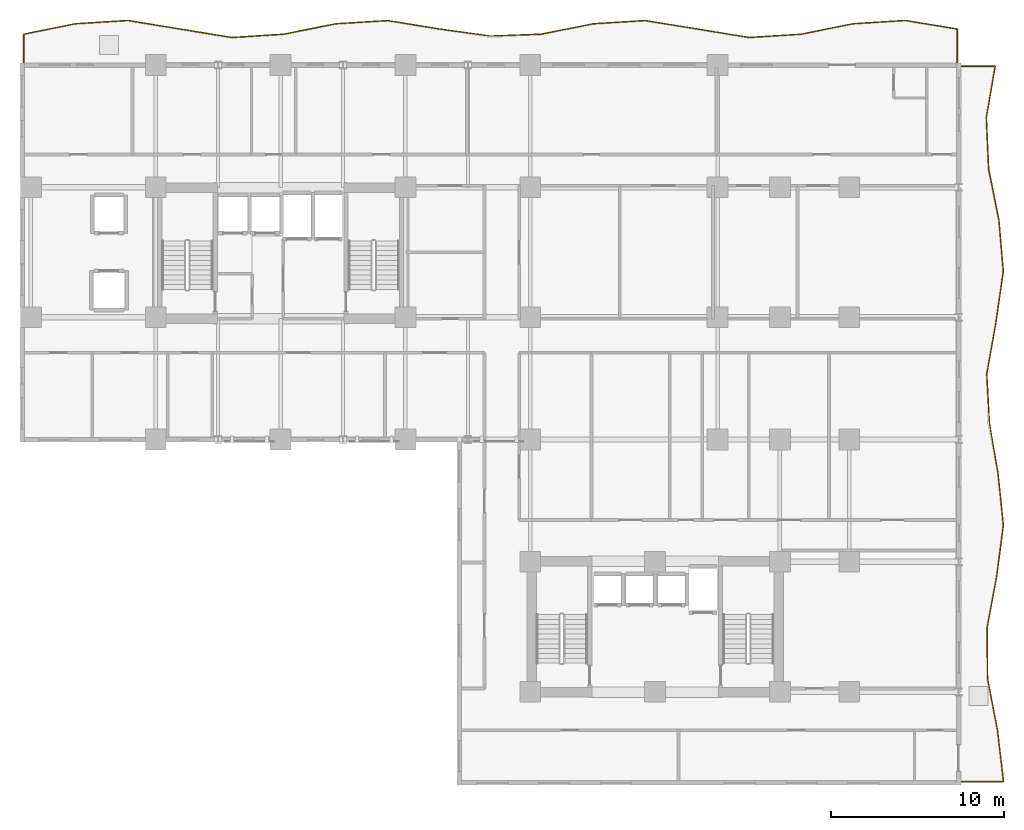
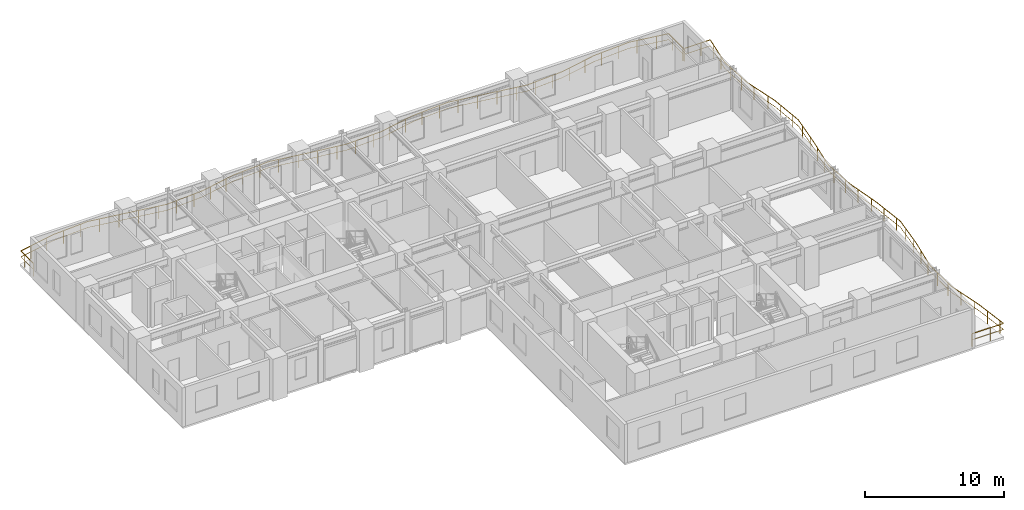
# One storey, part 11 of 11: 2 railings.
"""IFC4 building model written with IfcOpenShell, lengths in metres."""

from ifc_helpers import new_model, si_unit, direction, frame, origin, origin_2d, place, context, subcontext, project, spatial, rectangle, extrude, material, type_object, element, save


model = new_model("IFC4")

# Units and contexts
model_context = context("Model", 3, precision=1e-05, world=origin(), true_north=direction((0.0, 1.0)))
body_context = subcontext(model_context, "Body", "Model", "MODEL_VIEW")
ifc_project = project(units=[si_unit("LENGTHUNIT", "METRE"), si_unit("AREAUNIT", "SQUARE_METRE"), si_unit("VOLUMEUNIT", "CUBIC_METRE"), si_unit("PLANEANGLEUNIT", "RADIAN"), si_unit("MASSUNIT", "GRAM", prefix="KILO")], contexts=[model_context])

# Site, building, storey
site_placement = place(None, origin())
site = spatial("IfcSite", under=ifc_project, at=site_placement, CompositionType="ELEMENT")
building_placement = place(site_placement, origin())
building = spatial("IfcBuilding", under=site, at=building_placement, Name="Kaliganga Portal Commons", CompositionType="ELEMENT")
storey_placement = place(building_placement, frame((0.0, 0.0, 89.699951171875)))
storey = spatial("IfcBuildingStorey", under=building, at=storey_placement, Name="L22", CompositionType="ELEMENT", Elevation=89.699951171875)

# Railings
ifc_material = material(Name="Laminated Safety Glass and Stainless Steel 316", Category="steel")
railing_type = type_object("IfcRailingType", Name="RLG-BAL-1150", PredefinedType="BALUSTRADE", material=ifc_material)
railing_1_placement = place(storey_placement, frame((60.6201171875, 43.20556640625, 0.0)))
element("IfcRailing", 1, at=railing_1_placement, inside=storey, type_object=railing_type, Name="Balcony Guardrail L22 balc_north", PredefinedType="BALUSTRADE", context=body_context, shape_type="SweptSolid", body=[
    extrude(rectangle(XDim=0.048095703125, YDim=0.048095703125, at=origin_2d()), frame((0.0, 0.0, 1.1259765625), z_axis=(0.0, 1.0, 0.0), x_axis=(-1.0, 0.0, 0.0)), (0.0, 0.0, 1.0), 2.076416015625),
    extrude(rectangle(XDim=0.028076171875, YDim=0.028076171875, at=origin_2d()), frame((0.0, 0.0, 0.597900390625), z_axis=(0.0, 1.0, 0.0), x_axis=(-1.0, 0.0, 0.0)), (0.0, 0.0, 1.0), 2.076416015625),
    extrude(rectangle(XDim=0.048095703125, YDim=0.048095703125, at=origin_2d()), frame((0.0, 2.076416015625, 1.1259765625), z_axis=(-0.986897146994, 0.161350615911, 0.0), x_axis=(-0.161350615911, -0.986897146994, 0.0)), (0.0, 0.0, 1.0), 3.039794921875),
    extrude(rectangle(XDim=0.028076171875, YDim=0.028076171875, at=origin_2d()), frame((0.0, 2.076416015625, 0.597900390625), z_axis=(-0.986897146994, 0.161350615911, 0.0), x_axis=(-0.161350615911, -0.986897146994, 0.0)), (0.0, 0.0, 1.0), 3.039794921875),
    extrude(rectangle(XDim=0.048095703125, YDim=0.048095703125, at=origin_2d()), frame((-3.0, 2.56689453125, 1.1259765625), z_axis=(-0.998047518624, -0.062459191229, 0.0), x_axis=(0.062459191229, -0.998047518624, 0.0)), (0.0, 0.0, 1.0), 3.005859375),
    extrude(rectangle(XDim=0.028076171875, YDim=0.028076171875, at=origin_2d()), frame((-3.0, 2.56689453125, 0.597900390625), z_axis=(-0.998047518624, -0.062459191229, 0.0), x_axis=(0.062459191229, -0.998047518624, 0.0)), (0.0, 0.0, 1.0), 3.005859375),
    extrude(rectangle(XDim=0.048095703125, YDim=0.048095703125, at=origin_2d()), frame((-6.0, 2.379150390625, 1.1259765625), z_axis=(-0.980204587851, -0.197987287357, 0.0), x_axis=(0.197987287357, -0.980204587851, 0.0)), (0.0, 0.0, 1.0), 3.060546875),
    extrude(rectangle(XDim=0.028076171875, YDim=0.028076171875, at=origin_2d()), frame((-6.0, 2.379150390625, 0.597900390625), z_axis=(-0.980204587851, -0.197987287357, 0.0), x_axis=(0.197987287357, -0.980204587851, 0.0)), (0.0, 0.0, 1.0), 3.060546875),
    extrude(rectangle(XDim=0.048095703125, YDim=0.048095703125, at=origin_2d()), frame((-9.0, 1.773193359375, 1.1259765625), z_axis=(-0.998062678679, -0.06221647232, 0.0), x_axis=(0.06221647232, -0.998062678679, 0.0)), (0.0, 0.0, 1.0), 3.005859375),
    extrude(rectangle(XDim=0.028076171875, YDim=0.028076171875, at=origin_2d()), frame((-9.0, 1.773193359375, 0.597900390625), z_axis=(-0.998062678679, -0.06221647232, 0.0), x_axis=(0.06221647232, -0.998062678679, 0.0)), (0.0, 0.0, 1.0), 3.005859375),
    extrude(rectangle(XDim=0.048095703125, YDim=0.048095703125, at=origin_2d()), frame((-12.0, 1.586181640625, 1.1259765625), z_axis=(-0.98694825564, 0.16103769959, 0.0), x_axis=(-0.16103769959, -0.98694825564, 0.0)), (0.0, 0.0, 1.0), 3.039794921875),
    extrude(rectangle(XDim=0.028076171875, YDim=0.028076171875, at=origin_2d()), frame((-12.0, 1.586181640625, 0.597900390625), z_axis=(-0.98694825564, 0.16103769959, 0.0), x_axis=(-0.16103769959, -0.98694825564, 0.0)), (0.0, 0.0, 1.0), 3.039794921875),
    extrude(rectangle(XDim=0.048095703125, YDim=0.048095703125, at=origin_2d()), frame((-15.0, 2.07568359375, 1.1259765625), z_axis=(-0.987050191056, 0.160411721317, 0.0), x_axis=(-0.160411721317, -0.987050191056, 0.0)), (0.0, 0.0, 1.0), 3.039306640625),
    extrude(rectangle(XDim=0.028076171875, YDim=0.028076171875, at=origin_2d()), frame((-15.0, 2.07568359375, 0.597900390625), z_axis=(-0.987050191056, 0.160411721317, 0.0), x_axis=(-0.160411721317, -0.987050191056, 0.0)), (0.0, 0.0, 1.0), 3.039306640625),
    extrude(rectangle(XDim=0.048095703125, YDim=0.048095703125, at=origin_2d()), frame((-18.0, 2.563232421875, 1.1259765625), z_axis=(-0.99802689394, -0.062787888745, 0.0), x_axis=(0.062787888745, -0.99802689394, 0.0)), (0.0, 0.0, 1.0), 3.005615234375),
    extrude(rectangle(XDim=0.028076171875, YDim=0.028076171875, at=origin_2d()), frame((-18.0, 2.563232421875, 0.597900390625), z_axis=(-0.99802689394, -0.062787888745, 0.0), x_axis=(0.062787888745, -0.99802689394, 0.0)), (0.0, 0.0, 1.0), 3.005615234375),
    extrude(rectangle(XDim=0.048095703125, YDim=0.048095703125, at=origin_2d()), frame((-20.999755859375, 2.37451171875, 1.1259765625), z_axis=(-0.980669583061, -0.195671073128, 0.0), x_axis=(0.195671073128, -0.980669583061, 0.0)), (0.0, 0.0, 1.0), 3.059326171875),
    extrude(rectangle(XDim=0.028076171875, YDim=0.028076171875, at=origin_2d()), frame((-20.999755859375, 2.37451171875, 0.597900390625), z_axis=(-0.980669583061, -0.195671073128, 0.0), x_axis=(0.195671073128, -0.980669583061, 0.0)), (0.0, 0.0, 1.0), 3.059326171875),
    extrude(rectangle(XDim=0.048095703125, YDim=0.048095703125, at=origin_2d()), frame((-24.0, 1.77587890625, 1.1259765625), z_axis=(-0.999274075238, -0.038096227599, 0.0), x_axis=(0.038096227599, -0.999274075238, 0.0)), (0.0, 0.0, 1.0), 2.92236328125),
    extrude(rectangle(XDim=0.028076171875, YDim=0.028076171875, at=origin_2d()), frame((-24.0, 1.77587890625, 0.597900390625), z_axis=(-0.999274075238, -0.038096227599, 0.0), x_axis=(0.038096227599, -0.999274075238, 0.0)), (0.0, 0.0, 1.0), 2.92236328125),
    extrude(rectangle(XDim=0.048095703125, YDim=0.048095703125, at=origin_2d()), frame((-26.920166015625, 1.66455078125, 1.1259765625), z_axis=(-0.9904046318, 0.138197920782, 0.0), x_axis=(-0.138197920782, -0.9904046318, 0.0)), (0.0, 0.0, 1.0), 2.948486328125),
    extrude(rectangle(XDim=0.028076171875, YDim=0.028076171875, at=origin_2d()), frame((-26.920166015625, 1.66455078125, 0.597900390625), z_axis=(-0.9904046318, 0.138197920782, 0.0), x_axis=(-0.138197920782, -0.9904046318, 0.0)), (0.0, 0.0, 1.0), 2.948486328125),
    extrude(rectangle(XDim=0.048095703125, YDim=0.048095703125, at=origin_2d()), frame((-29.84033203125, 2.072021484375, 1.1259765625), z_axis=(-0.987014082013, 0.160633750836, 0.0), x_axis=(-0.160633750836, -0.987014082013, 0.0)), (0.0, 0.0, 1.0), 3.039794921875),
    extrude(rectangle(XDim=0.028076171875, YDim=0.028076171875, at=origin_2d()), frame((-29.84033203125, 2.072021484375, 0.597900390625), z_axis=(-0.987014082013, 0.160633750836, 0.0), x_axis=(-0.160633750836, -0.987014082013, 0.0)), (0.0, 0.0, 1.0), 3.039794921875),
    extrude(rectangle(XDim=0.048095703125, YDim=0.048095703125, at=origin_2d()), frame((-32.840576171875, 2.560302734375, 1.1259765625), z_axis=(-0.998132347923, -0.061088591653, 0.0), x_axis=(0.061088591653, -0.998132347923, 0.0)), (0.0, 0.0, 1.0), 3.00537109375),
    extrude(rectangle(XDim=0.028076171875, YDim=0.028076171875, at=origin_2d()), frame((-32.840576171875, 2.560302734375, 0.597900390625), z_axis=(-0.998132347923, -0.061088591653, 0.0), x_axis=(0.061088591653, -0.998132347923, 0.0)), (0.0, 0.0, 1.0), 3.00537109375),
    extrude(rectangle(XDim=0.048095703125, YDim=0.048095703125, at=origin_2d()), frame((-35.84033203125, 2.376708984375, 1.1259765625), z_axis=(-0.980371440796, -0.197159422984, 0.0), x_axis=(0.197159422984, -0.980371440796, 0.0)), (0.0, 0.0, 1.0), 3.059814453125),
    extrude(rectangle(XDim=0.028076171875, YDim=0.028076171875, at=origin_2d()), frame((-35.84033203125, 2.376708984375, 0.597900390625), z_axis=(-0.980371440796, -0.197159422984, 0.0), x_axis=(0.197159422984, -0.980371440796, 0.0)), (0.0, 0.0, 1.0), 3.059814453125),
    extrude(rectangle(XDim=0.048095703125, YDim=0.048095703125, at=origin_2d()), frame((-38.840087890625, 1.7734375, 1.1259765625), z_axis=(-0.998057631835, -0.062297379852, 0.0), x_axis=(0.062297379852, -0.998057631835, 0.0)), (0.0, 0.0, 1.0), 3.005859375),
    extrude(rectangle(XDim=0.028076171875, YDim=0.028076171875, at=origin_2d()), frame((-38.840087890625, 1.7734375, 0.597900390625), z_axis=(-0.998057631835, -0.062297379852, 0.0), x_axis=(0.062297379852, -0.998057631835, 0.0)), (0.0, 0.0, 1.0), 3.005859375),
    extrude(rectangle(XDim=0.048095703125, YDim=0.048095703125, at=origin_2d()), frame((-41.840087890625, 1.586181640625, 1.1259765625), z_axis=(-0.986935487284, 0.161115933227, 0.0), x_axis=(-0.161115933227, -0.986935487284, 0.0)), (0.0, 0.0, 1.0), 3.039794921875),
    extrude(rectangle(XDim=0.028076171875, YDim=0.028076171875, at=origin_2d()), frame((-41.840087890625, 1.586181640625, 0.597900390625), z_axis=(-0.986935487284, 0.161115933227, 0.0), x_axis=(-0.161115933227, -0.986935487284, 0.0)), (0.0, 0.0, 1.0), 3.039794921875),
    extrude(rectangle(XDim=0.048095703125, YDim=0.048095703125, at=origin_2d()), frame((-44.840087890625, 2.075927734375, 1.1259765625), z_axis=(-0.986884355159, 0.161428837392, 0.0), x_axis=(-0.161428837392, -0.986884355159, 0.0)), (0.0, 0.0, 1.0), 3.039794921875),
    extrude(rectangle(XDim=0.028076171875, YDim=0.028076171875, at=origin_2d()), frame((-44.840087890625, 2.075927734375, 0.597900390625), z_axis=(-0.986884355159, 0.161428837392, 0.0), x_axis=(-0.161428837392, -0.986884355159, 0.0)), (0.0, 0.0, 1.0), 3.039794921875),
    extrude(rectangle(XDim=0.048095703125, YDim=0.048095703125, at=origin_2d()), frame((-47.840087890625, 2.566650390625, 1.1259765625), z_axis=(-0.998057631835, -0.062297379852, 0.0), x_axis=(0.062297379852, -0.998057631835, 0.0)), (0.0, 0.0, 1.0), 3.005859375),
    extrude(rectangle(XDim=0.028076171875, YDim=0.028076171875, at=origin_2d()), frame((-47.840087890625, 2.566650390625, 0.597900390625), z_axis=(-0.998057631835, -0.062297379852, 0.0), x_axis=(0.062297379852, -0.998057631835, 0.0)), (0.0, 0.0, 1.0), 3.005859375),
    extrude(rectangle(XDim=0.048095703125, YDim=0.048095703125, at=origin_2d()), frame((-50.840087890625, 2.37939453125, 1.1259765625), z_axis=(-0.980173615519, -0.198140564856, 0.0), x_axis=(0.198140564856, -0.980173615519, 0.0)), (0.0, 0.0, 1.0), 3.060791015625),
    extrude(rectangle(XDim=0.028076171875, YDim=0.028076171875, at=origin_2d()), frame((-50.840087890625, 2.37939453125, 0.597900390625), z_axis=(-0.980173615519, -0.198140564856, 0.0), x_axis=(0.198140564856, -0.980173615519, 0.0)), (0.0, 0.0, 1.0), 3.060791015625),
    extrude(rectangle(XDim=0.048095703125, YDim=0.048095703125, at=origin_2d()), frame((-53.840087890625, 1.77294921875, 1.1259765625), z_axis=(-0.000137703111, -0.999999990519, 0.0), x_axis=(0.999999990519, -0.000137703111, 0.0)), (0.0, 0.0, 1.0), 1.77294921875),
    extrude(rectangle(XDim=0.028076171875, YDim=0.028076171875, at=origin_2d()), frame((-53.840087890625, 1.77294921875, 0.597900390625), z_axis=(-0.000137703111, -0.999999990519, 0.0), x_axis=(0.999999990519, -0.000137703111, 0.0)), (0.0, 0.0, 1.0), 1.77294921875),
    extrude(rectangle(XDim=0.0419921875, YDim=0.0419921875, at=origin_2d()), origin(), (0.0, 0.0, 1.0), 1.101806640625),
    extrude(rectangle(XDim=0.0419921875, YDim=0.0419921875, at=origin_2d()), frame((0.0, 1.5, 0.0)), (0.0, 0.0, 1.0), 1.101806640625),
    extrude(rectangle(XDim=0.0419921875, YDim=0.0419921875, at=origin_2d()), frame((-0.911376953125, 2.225341796875, 0.0)), (0.0, 0.0, 1.0), 1.101806640625),
    extrude(rectangle(XDim=0.0419921875, YDim=0.0419921875, at=origin_2d()), frame((-2.391845703125, 2.467529296875, 0.0)), (0.0, 0.0, 1.0), 1.101806640625),
    extrude(rectangle(XDim=0.0419921875, YDim=0.0419921875, at=origin_2d()), frame((-3.882080078125, 2.51171875, 0.0)), (0.0, 0.0, 1.0), 1.101806640625),
    extrude(rectangle(XDim=0.0419921875, YDim=0.0419921875, at=origin_2d()), frame((-5.379150390625, 2.41796875, 0.0)), (0.0, 0.0, 1.0), 1.101806640625),
    extrude(rectangle(XDim=0.0419921875, YDim=0.0419921875, at=origin_2d()), frame((-6.860595703125, 2.205322265625, 0.0)), (0.0, 0.0, 1.0), 1.101806640625),
    extrude(rectangle(XDim=0.0419921875, YDim=0.0419921875, at=origin_2d()), frame((-8.330810546875, 1.908447265625, 0.0)), (0.0, 0.0, 1.0), 1.101806640625),
    extrude(rectangle(XDim=0.0419921875, YDim=0.0419921875, at=origin_2d()), frame((-9.815673828125, 1.722412109375, 0.0)), (0.0, 0.0, 1.0), 1.101806640625),
    extrude(rectangle(XDim=0.0419921875, YDim=0.0419921875, at=origin_2d()), frame((-11.312744140625, 1.62890625, 0.0)), (0.0, 0.0, 1.0), 1.101806640625),
    extrude(rectangle(XDim=0.0419921875, YDim=0.0419921875, at=origin_2d()), frame((-12.80078125, 1.716796875, 0.0)), (0.0, 0.0, 1.0), 1.101806640625),
    extrude(rectangle(XDim=0.0419921875, YDim=0.0419921875, at=origin_2d()), frame((-14.28125, 1.95849609375, 0.0)), (0.0, 0.0, 1.0), 1.101806640625),
    extrude(rectangle(XDim=0.0419921875, YDim=0.0419921875, at=origin_2d()), frame((-15.76171875, 2.199462890625, 0.0)), (0.0, 0.0, 1.0), 1.101806640625),
    extrude(rectangle(XDim=0.0419921875, YDim=0.0419921875, at=origin_2d()), frame((-17.242431640625, 2.440185546875, 0.0)), (0.0, 0.0, 1.0), 1.101806640625),
    extrude(rectangle(XDim=0.0419921875, YDim=0.0419921875, at=origin_2d()), frame((-18.73095703125, 2.517333984375, 0.0)), (0.0, 0.0, 1.0), 1.101806640625),
    extrude(rectangle(XDim=0.0419921875, YDim=0.0419921875, at=origin_2d()), frame((-20.22802734375, 2.423095703125, 0.0)), (0.0, 0.0, 1.0), 1.101806640625),
    extrude(rectangle(XDim=0.0419921875, YDim=0.0419921875, at=origin_2d()), frame((-21.71240234375, 2.232421875, 0.0)), (0.0, 0.0, 1.0), 1.101806640625),
    extrude(rectangle(XDim=0.0419921875, YDim=0.0419921875, at=origin_2d()), frame((-23.183349609375, 1.938720703125, 0.0)), (0.0, 0.0, 1.0), 1.101806640625),
    extrude(rectangle(XDim=0.0419921875, YDim=0.0419921875, at=origin_2d()), frame((-24.6669921875, 1.75048828125, 0.0)), (0.0, 0.0, 1.0), 1.101806640625),
    extrude(rectangle(XDim=0.0419921875, YDim=0.0419921875, at=origin_2d()), frame((-26.165771484375, 1.693359375, 0.0)), (0.0, 0.0, 1.0), 1.101806640625),
    extrude(rectangle(XDim=0.0419921875, YDim=0.0419921875, at=origin_2d()), frame((-27.658203125, 1.767578125, 0.0)), (0.0, 0.0, 1.0), 1.101806640625),
    extrude(rectangle(XDim=0.0419921875, YDim=0.0419921875, at=origin_2d()), frame((-29.143798828125, 1.974853515625, 0.0)), (0.0, 0.0, 1.0), 1.101806640625),
    extrude(rectangle(XDim=0.0419921875, YDim=0.0419921875, at=origin_2d()), frame((-30.626708984375, 2.199951171875, 0.0)), (0.0, 0.0, 1.0), 1.101806640625),
    extrude(rectangle(XDim=0.0419921875, YDim=0.0419921875, at=origin_2d()), frame((-32.107177734375, 2.44091796875, 0.0)), (0.0, 0.0, 1.0), 1.101806640625),
    extrude(rectangle(XDim=0.0419921875, YDim=0.0419921875, at=origin_2d()), frame((-33.59619140625, 2.51416015625, 0.0)), (0.0, 0.0, 1.0), 1.101806640625),
    extrude(rectangle(XDim=0.0419921875, YDim=0.0419921875, at=origin_2d()), frame((-35.09326171875, 2.42236328125, 0.0)), (0.0, 0.0, 1.0), 1.101806640625),
    extrude(rectangle(XDim=0.0419921875, YDim=0.0419921875, at=origin_2d()), frame((-36.5771484375, 2.228515625, 0.0)), (0.0, 0.0, 1.0), 1.101806640625),
    extrude(rectangle(XDim=0.0419921875, YDim=0.0419921875, at=origin_2d()), frame((-38.047607421875, 1.932861328125, 0.0)), (0.0, 0.0, 1.0), 1.101806640625),
    extrude(rectangle(XDim=0.0419921875, YDim=0.0419921875, at=origin_2d()), frame((-39.530517578125, 1.730224609375, 0.0)), (0.0, 0.0, 1.0), 1.101806640625),
    extrude(rectangle(XDim=0.0419921875, YDim=0.0419921875, at=origin_2d()), frame((-41.027587890625, 1.636962890625, 0.0)), (0.0, 0.0, 1.0), 1.101806640625),
    extrude(rectangle(XDim=0.0419921875, YDim=0.0419921875, at=origin_2d()), frame((-42.51708984375, 1.69677734375, 0.0)), (0.0, 0.0, 1.0), 1.101806640625),
    extrude(rectangle(XDim=0.0419921875, YDim=0.0419921875, at=origin_2d()), frame((-43.997314453125, 1.9384765625, 0.0)), (0.0, 0.0, 1.0), 1.101806640625),
    extrude(rectangle(XDim=0.0419921875, YDim=0.0419921875, at=origin_2d()), frame((-45.477783203125, 2.18017578125, 0.0)), (0.0, 0.0, 1.0), 1.101806640625),
    extrude(rectangle(XDim=0.0419921875, YDim=0.0419921875, at=origin_2d()), frame((-46.9580078125, 2.42236328125, 0.0)), (0.0, 0.0, 1.0), 1.101806640625),
    extrude(rectangle(XDim=0.0419921875, YDim=0.0419921875, at=origin_2d()), frame((-48.4453125, 2.52880859375, 0.0)), (0.0, 0.0, 1.0), 1.101806640625),
    extrude(rectangle(XDim=0.0419921875, YDim=0.0419921875, at=origin_2d()), frame((-49.9423828125, 2.435546875, 0.0)), (0.0, 0.0, 1.0), 1.101806640625),
    extrude(rectangle(XDim=0.0419921875, YDim=0.0419921875, at=origin_2d()), frame((-51.4287109375, 2.260498046875, 0.0)), (0.0, 0.0, 1.0), 1.101806640625),
    extrude(rectangle(XDim=0.0419921875, YDim=0.0419921875, at=origin_2d()), frame((-52.89892578125, 1.963134765625, 0.0)), (0.0, 0.0, 1.0), 1.101806640625),
    extrude(rectangle(XDim=0.0419921875, YDim=0.0419921875, at=origin_2d()), frame((-53.840087890625, 1.233154296875, 0.0)), (0.0, 0.0, 1.0), 1.101806640625),
    extrude(rectangle(XDim=0.0419921875, YDim=0.0419921875, at=origin_2d()), frame((-53.84033203125, 0.0, 0.0)), (0.0, 0.0, 1.0), 1.101806640625),
])
railing_2_placement = place(storey_placement, frame((60.70703125, 1.879638671875, 0.0)))
element("IfcRailing", 2, at=railing_2_placement, inside=storey, type_object=railing_type, Name="Balcony Guardrail L22 balc_east", PredefinedType="BALUSTRADE", context=body_context, shape_type="SweptSolid", body=[
    extrude(rectangle(XDim=0.048095703125, YDim=0.048095703125, at=origin_2d()), frame((0.0, 0.0, 1.1259765625), z_axis=(0.999999995558, 9.425959e-05, 0.0), x_axis=(-9.425959e-05, 0.999999995558, 0.0)), (0.0, 0.0, 1.0), 2.590087890625),
    extrude(rectangle(XDim=0.028076171875, YDim=0.028076171875, at=origin_2d()), frame((0.0, 0.0, 0.597900390625), z_axis=(0.999999995558, 9.425959e-05, 0.0), x_axis=(-9.425959e-05, 0.999999995558, 0.0)), (0.0, 0.0, 1.0), 2.590087890625),
    extrude(rectangle(XDim=0.048095703125, YDim=0.048095703125, at=origin_2d()), frame((2.590087890625, 0.000244140625, 1.1259765625), z_axis=(-0.116836490437, 0.993151163974, 0.0), x_axis=(-0.993151163974, -0.116836490437, 0.0)), (0.0, 0.0, 1.0), 2.977783203125),
    extrude(rectangle(XDim=0.028076171875, YDim=0.028076171875, at=origin_2d()), frame((2.590087890625, 0.000244140625, 0.597900390625), z_axis=(-0.116836490437, 0.993151163974, 0.0), x_axis=(-0.993151163974, -0.116836490437, 0.0)), (0.0, 0.0, 1.0), 2.977783203125),
    extrude(rectangle(XDim=0.048095703125, YDim=0.048095703125, at=origin_2d()), frame((2.2421875, 2.95751953125, 1.1259765625), z_axis=(-0.190392360757, 0.981708077264, 0.0), x_axis=(-0.981708077264, -0.190392360757, 0.0)), (0.0, 0.0, 1.0), 3.01220703125),
    extrude(rectangle(XDim=0.028076171875, YDim=0.028076171875, at=origin_2d()), frame((2.2421875, 2.95751953125, 0.597900390625), z_axis=(-0.190392360757, 0.981708077264, 0.0), x_axis=(-0.981708077264, -0.190392360757, 0.0)), (0.0, 0.0, 1.0), 3.01220703125),
    extrude(rectangle(XDim=0.048095703125, YDim=0.048095703125, at=origin_2d()), frame((1.668701171875, 5.91455078125, 1.1259765625), z_axis=(-0.008998232242, 0.999959515089, 0.0), x_axis=(-0.999959515089, -0.008998232242, 0.0)), (0.0, 0.0, 1.0), 2.957275390625),
    extrude(rectangle(XDim=0.028076171875, YDim=0.028076171875, at=origin_2d()), frame((1.668701171875, 5.91455078125, 0.597900390625), z_axis=(-0.008998232242, 0.999959515089, 0.0), x_axis=(-0.999959515089, -0.008998232242, 0.0)), (0.0, 0.0, 1.0), 2.957275390625),
    extrude(rectangle(XDim=0.048095703125, YDim=0.048095703125, at=origin_2d()), frame((1.64208984375, 8.871826171875, 1.1259765625), z_axis=(0.184210140655, 0.982886882647, 0.0), x_axis=(-0.982886882647, 0.184210140655, 0.0)), (0.0, 0.0, 1.0), 3.008544921875),
    extrude(rectangle(XDim=0.028076171875, YDim=0.028076171875, at=origin_2d()), frame((1.64208984375, 8.871826171875, 0.597900390625), z_axis=(0.184210140655, 0.982886882647, 0.0), x_axis=(-0.982886882647, 0.184210140655, 0.0)), (0.0, 0.0, 1.0), 3.008544921875),
    extrude(rectangle(XDim=0.048095703125, YDim=0.048095703125, at=origin_2d()), frame((2.1962890625, 11.828857421875, 1.1259765625), z_axis=(0.128891072209, 0.99165875759, 0.0), x_axis=(-0.99165875759, 0.128891072209, 0.0)), (0.0, 0.0, 1.0), 2.9814453125),
    extrude(rectangle(XDim=0.028076171875, YDim=0.028076171875, at=origin_2d()), frame((2.1962890625, 11.828857421875, 0.597900390625), z_axis=(0.128891072209, 0.99165875759, 0.0), x_axis=(-0.99165875759, 0.128891072209, 0.0)), (0.0, 0.0, 1.0), 2.9814453125),
    extrude(rectangle(XDim=0.048095703125, YDim=0.048095703125, at=origin_2d()), frame((2.58056640625, 14.785400390625, 1.1259765625), z_axis=(-0.102829097179, 0.994699038289, 0.0), x_axis=(-0.994699038289, -0.102829097179, 0.0)), (0.0, 0.0, 1.0), 2.97265625),
    extrude(rectangle(XDim=0.028076171875, YDim=0.028076171875, at=origin_2d()), frame((2.58056640625, 14.785400390625, 0.597900390625), z_axis=(-0.102829097179, 0.994699038289, 0.0), x_axis=(-0.994699038289, -0.102829097179, 0.0)), (0.0, 0.0, 1.0), 2.97265625),
    extrude(rectangle(XDim=0.048095703125, YDim=0.048095703125, at=origin_2d()), frame((2.27490234375, 17.7421875, 1.1259765625), z_axis=(-0.170102854155, 0.985426313333, 0.0), x_axis=(-0.985426313333, -0.170102854155, 0.0)), (0.0, 0.0, 1.0), 2.920654296875),
    extrude(rectangle(XDim=0.028076171875, YDim=0.028076171875, at=origin_2d()), frame((2.27490234375, 17.7421875, 0.597900390625), z_axis=(-0.170102854155, 0.985426313333, 0.0), x_axis=(-0.985426313333, -0.170102854155, 0.0)), (0.0, 0.0, 1.0), 2.920654296875),
    extrude(rectangle(XDim=0.048095703125, YDim=0.048095703125, at=origin_2d()), frame((1.778076171875, 20.620361328125, 1.1259765625), z_axis=(-0.053888490989, 0.998546959606, 0.0), x_axis=(-0.998546959606, -0.053888490989, 0.0)), (0.0, 0.0, 1.0), 2.88134765625),
    extrude(rectangle(XDim=0.028076171875, YDim=0.028076171875, at=origin_2d()), frame((1.778076171875, 20.620361328125, 0.597900390625), z_axis=(-0.053888490989, 0.998546959606, 0.0), x_axis=(-0.998546959606, -0.053888490989, 0.0)), (0.0, 0.0, 1.0), 2.88134765625),
    extrude(rectangle(XDim=0.048095703125, YDim=0.048095703125, at=origin_2d()), frame((1.622802734375, 23.49755859375, 1.1259765625), z_axis=(0.175393988438, 0.984498323422, 0.0), x_axis=(-0.984498323422, 0.175393988438, 0.0)), (0.0, 0.0, 1.0), 3.00390625),
    extrude(rectangle(XDim=0.028076171875, YDim=0.028076171875, at=origin_2d()), frame((1.622802734375, 23.49755859375, 0.597900390625), z_axis=(0.175393988438, 0.984498323422, 0.0), x_axis=(-0.984498323422, 0.175393988438, 0.0)), (0.0, 0.0, 1.0), 3.00390625),
    extrude(rectangle(XDim=0.048095703125, YDim=0.048095703125, at=origin_2d()), frame((2.149658203125, 26.454833984375, 1.1259765625), z_axis=(0.143308456887, 0.989678071993, 0.0), x_axis=(-0.989678071993, 0.143308456887, 0.0)), (0.0, 0.0, 1.0), 2.988037109375),
    extrude(rectangle(XDim=0.028076171875, YDim=0.028076171875, at=origin_2d()), frame((2.149658203125, 26.454833984375, 0.597900390625), z_axis=(0.143308456887, 0.989678071993, 0.0), x_axis=(-0.989678071993, 0.143308456887, 0.0)), (0.0, 0.0, 1.0), 2.988037109375),
    extrude(rectangle(XDim=0.048095703125, YDim=0.048095703125, at=origin_2d()), frame((2.577880859375, 29.412109375, 1.1259765625), z_axis=(-0.085060482706, 0.996375789691, 0.0), x_axis=(-0.996375789691, -0.085060482706, 0.0)), (0.0, 0.0, 1.0), 2.9677734375),
    extrude(rectangle(XDim=0.028076171875, YDim=0.028076171875, at=origin_2d()), frame((2.577880859375, 29.412109375, 0.597900390625), z_axis=(-0.085060482706, 0.996375789691, 0.0), x_axis=(-0.996375789691, -0.085060482706, 0.0)), (0.0, 0.0, 1.0), 2.9677734375),
    extrude(rectangle(XDim=0.048095703125, YDim=0.048095703125, at=origin_2d()), frame((2.325439453125, 32.369140625, 1.1259765625), z_axis=(-0.196863281954, 0.980430950255, 0.0), x_axis=(-0.980430950255, -0.196863281954, 0.0)), (0.0, 0.0, 1.0), 3.01611328125),
    extrude(rectangle(XDim=0.028076171875, YDim=0.028076171875, at=origin_2d()), frame((2.325439453125, 32.369140625, 0.597900390625), z_axis=(-0.196863281954, 0.980430950255, 0.0), x_axis=(-0.980430950255, -0.196863281954, 0.0)), (0.0, 0.0, 1.0), 3.01611328125),
    extrude(rectangle(XDim=0.048095703125, YDim=0.048095703125, at=origin_2d()), frame((1.731689453125, 35.326171875, 1.1259765625), z_axis=(-0.045033526252, 0.998985476127, 0.0), x_axis=(-0.998985476127, -0.045033526252, 0.0)), (0.0, 0.0, 1.0), 2.9599609375),
    extrude(rectangle(XDim=0.028076171875, YDim=0.028076171875, at=origin_2d()), frame((1.731689453125, 35.326171875, 0.597900390625), z_axis=(-0.045033526252, 0.998985476127, 0.0), x_axis=(-0.998985476127, -0.045033526252, 0.0)), (0.0, 0.0, 1.0), 2.9599609375),
    extrude(rectangle(XDim=0.048095703125, YDim=0.048095703125, at=origin_2d()), frame((1.598388671875, 38.283203125, 1.1259765625), z_axis=(0.169397389678, 0.98554782957, 0.0), x_axis=(-0.98554782957, 0.169397389678, 0.0)), (0.0, 0.0, 1.0), 3.000732421875),
    extrude(rectangle(XDim=0.028076171875, YDim=0.028076171875, at=origin_2d()), frame((1.598388671875, 38.283203125, 0.597900390625), z_axis=(0.169397389678, 0.98554782957, 0.0), x_axis=(-0.98554782957, 0.169397389678, 0.0)), (0.0, 0.0, 1.0), 3.000732421875),
    extrude(rectangle(XDim=0.048095703125, YDim=0.048095703125, at=origin_2d()), frame((2.106689453125, 41.240478515625, 1.1259765625), z_axis=(-0.999999993285, 0.000115888283, 0.0), x_axis=(-0.000115888283, -0.999999993285, 0.0)), (0.0, 0.0, 1.0), 2.106689453125),
    extrude(rectangle(XDim=0.028076171875, YDim=0.028076171875, at=origin_2d()), frame((2.106689453125, 41.240478515625, 0.597900390625), z_axis=(-0.999999993285, 0.000115888283, 0.0), x_axis=(-0.000115888283, -0.999999993285, 0.0)), (0.0, 0.0, 1.0), 2.106689453125),
    extrude(rectangle(XDim=0.0419921875, YDim=0.0419921875, at=origin_2d()), origin(), (0.0, 0.0, 1.0), 1.101806640625),
    extrude(rectangle(XDim=0.0419921875, YDim=0.0419921875, at=origin_2d()), frame((1.5, 0.000244140625, 0.0)), (0.0, 0.0, 1.0), 1.101806640625),
    extrude(rectangle(XDim=0.0419921875, YDim=0.0419921875, at=origin_2d()), frame((2.542236328125, 0.407470703125, 0.0)), (0.0, 0.0, 1.0), 1.101806640625),
    extrude(rectangle(XDim=0.0419921875, YDim=0.0419921875, at=origin_2d()), frame((2.366943359375, 1.89697265625, 0.0)), (0.0, 0.0, 1.0), 1.101806640625),
    extrude(rectangle(XDim=0.0419921875, YDim=0.0419921875, at=origin_2d()), frame((2.159912109375, 3.3818359375, 0.0)), (0.0, 0.0, 1.0), 1.101806640625),
    extrude(rectangle(XDim=0.0419921875, YDim=0.0419921875, at=origin_2d()), frame((1.874267578125, 4.8544921875, 0.0)), (0.0, 0.0, 1.0), 1.101806640625),
    extrude(rectangle(XDim=0.0419921875, YDim=0.0419921875, at=origin_2d()), frame((1.6650390625, 6.334716796875, 0.0)), (0.0, 0.0, 1.0), 1.101806640625),
    extrude(rectangle(XDim=0.0419921875, YDim=0.0419921875, at=origin_2d()), frame((1.6513671875, 7.83447265625, 0.0)), (0.0, 0.0, 1.0), 1.101806640625),
    extrude(rectangle(XDim=0.0419921875, YDim=0.0419921875, at=origin_2d()), frame((1.727294921875, 9.32666015625, 0.0)), (0.0, 0.0, 1.0), 1.101806640625),
    extrude(rectangle(XDim=0.0419921875, YDim=0.0419921875, at=origin_2d()), frame((2.003662109375, 10.801025390625, 0.0)), (0.0, 0.0, 1.0), 1.101806640625),
    extrude(rectangle(XDim=0.0419921875, YDim=0.0419921875, at=origin_2d()), frame((2.2548828125, 12.279296875, 0.0)), (0.0, 0.0, 1.0), 1.101806640625),
    extrude(rectangle(XDim=0.0419921875, YDim=0.0419921875, at=origin_2d()), frame((2.4482421875, 13.766845703125, 0.0)), (0.0, 0.0, 1.0), 1.101806640625),
    extrude(rectangle(XDim=0.0419921875, YDim=0.0419921875, at=origin_2d()), frame((2.531982421875, 15.255615234375, 0.0)), (0.0, 0.0, 1.0), 1.101806640625),
    extrude(rectangle(XDim=0.0419921875, YDim=0.0419921875, at=origin_2d()), frame((2.377685546875, 16.747802734375, 0.0)), (0.0, 0.0, 1.0), 1.101806640625),
    extrude(rectangle(XDim=0.0419921875, YDim=0.0419921875, at=origin_2d()), frame((2.189697265625, 18.235107421875, 0.0)), (0.0, 0.0, 1.0), 1.101806640625),
    extrude(rectangle(XDim=0.0419921875, YDim=0.0419921875, at=origin_2d()), frame((1.9345703125, 19.71337890625, 0.0)), (0.0, 0.0, 1.0), 1.101806640625),
    extrude(rectangle(XDim=0.0419921875, YDim=0.0419921875, at=origin_2d()), frame((1.746826171875, 21.198974609375, 0.0)), (0.0, 0.0, 1.0), 1.101806640625),
    extrude(rectangle(XDim=0.0419921875, YDim=0.0419921875, at=origin_2d()), frame((1.666015625, 22.69677734375, 0.0)), (0.0, 0.0, 1.0), 1.101806640625),
    extrude(rectangle(XDim=0.0419921875, YDim=0.0419921875, at=origin_2d()), frame((1.745361328125, 24.184814453125, 0.0)), (0.0, 0.0, 1.0), 1.101806640625),
    extrude(rectangle(XDim=0.0419921875, YDim=0.0419921875, at=origin_2d()), frame((2.00830078125, 25.66162109375, 0.0)), (0.0, 0.0, 1.0), 1.101806640625),
    extrude(rectangle(XDim=0.0419921875, YDim=0.0419921875, at=origin_2d()), frame((2.249267578125, 27.141845703125, 0.0)), (0.0, 0.0, 1.0), 1.101806640625),
    extrude(rectangle(XDim=0.0419921875, YDim=0.0419921875, at=origin_2d()), frame((2.464111328125, 28.62646484375, 0.0)), (0.0, 0.0, 1.0), 1.101806640625),
    extrude(rectangle(XDim=0.0419921875, YDim=0.0419921875, at=origin_2d()), frame((2.517822265625, 30.11572265625, 0.0)), (0.0, 0.0, 1.0), 1.101806640625),
    extrude(rectangle(XDim=0.0419921875, YDim=0.0419921875, at=origin_2d()), frame((2.39013671875, 31.6103515625, 0.0)), (0.0, 0.0, 1.0), 1.101806640625),
    extrude(rectangle(XDim=0.0419921875, YDim=0.0419921875, at=origin_2d()), frame((2.18017578125, 33.093017578125, 0.0)), (0.0, 0.0, 1.0), 1.101806640625),
    extrude(rectangle(XDim=0.0419921875, YDim=0.0419921875, at=origin_2d()), frame((1.884765625, 34.563720703125, 0.0)), (0.0, 0.0, 1.0), 1.101806640625),
    extrude(rectangle(XDim=0.0419921875, YDim=0.0419921875, at=origin_2d()), frame((1.69921875, 36.0478515625, 0.0)), (0.0, 0.0, 1.0), 1.101806640625),
    extrude(rectangle(XDim=0.0419921875, YDim=0.0419921875, at=origin_2d()), frame((1.631591796875, 37.546142578125, 0.0)), (0.0, 0.0, 1.0), 1.101806640625),
    extrude(rectangle(XDim=0.0419921875, YDim=0.0419921875, at=origin_2d()), frame((1.7275390625, 39.034423828125, 0.0)), (0.0, 0.0, 1.0), 1.101806640625),
    extrude(rectangle(XDim=0.0419921875, YDim=0.0419921875, at=origin_2d()), frame((1.981689453125, 40.5126953125, 0.0)), (0.0, 0.0, 1.0), 1.101806640625),
    extrude(rectangle(XDim=0.0419921875, YDim=0.0419921875, at=origin_2d()), frame((1.344970703125, 41.240478515625, 0.0)), (0.0, 0.0, 1.0), 1.101806640625),
    extrude(rectangle(XDim=0.0419921875, YDim=0.0419921875, at=origin_2d()), frame((0.0, 41.24072265625, 0.0)), (0.0, 0.0, 1.0), 1.101806640625),
])

save(model, "model.ifc")
